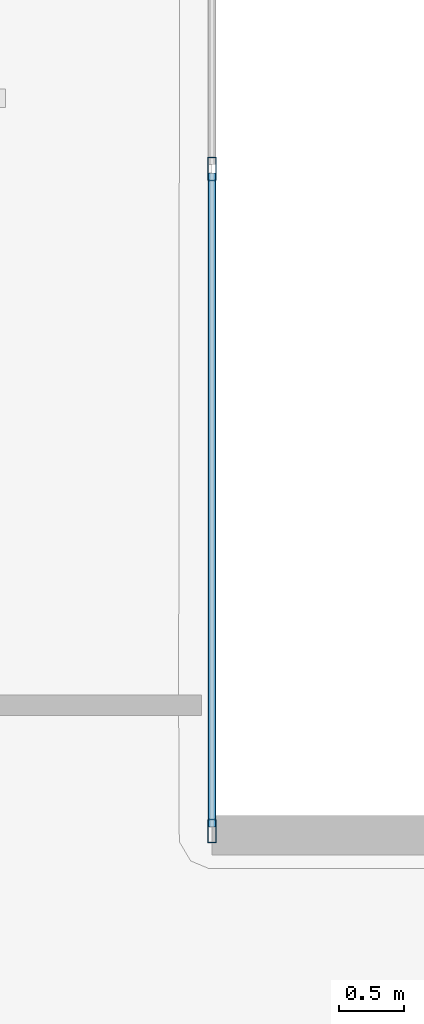
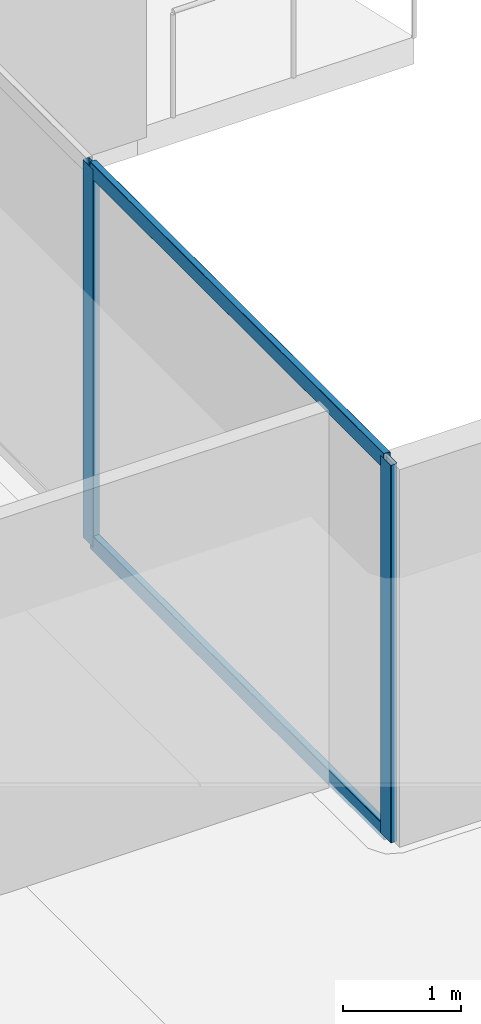
# One storey, part 13 of 45: 4 members, 1 element without a shape of its own.
"""IFC4 building model written with IfcOpenShell, lengths in metres."""

import ifcopenshell
import ifcopenshell.guid

model = None  # the IFC model being written
_history = None  # IfcOwnerHistory: only IFC2X3 demands one
_inside = {}  # id of a spatial element -> (the spatial element, [elements in it])
_under = {}  # id of a project, library or spatial element -> (it, [spatial elements below it])
_declared = {}  # id of a project -> (the project, [libraries it declares])
_typed = {}  # id of a type object -> (the type object, [elements of that type])
_made_of = {}  # id of a material, layer set ... -> (it, [elements and type objects made of it])


def new_model(schema):
    """Start an empty IFC model of exactly this schema.

    Asked for "IFC4X3", IfcOpenShell would pick the latest addendum, in which some entities
    have other attributes; the version numbers below select the first issue.
    IFC2X3 requires an IfcOwnerHistory on every rooted entity: one is made here for all.
    """
    global model, _history
    if schema == "IFC4X3":
        model = ifcopenshell.file(schema_version=(4, 3, 0, 0))
    else:
        model = ifcopenshell.file(schema=schema)
    _inside.clear()
    _under.clear()
    _declared.clear()
    _typed.clear()
    _made_of.clear()
    _history = None
    if model.schema == "IFC2X3":
        org = make("IfcOrganization", Name="unknown")
        user = make(
            "IfcPersonAndOrganization",
            ThePerson=make("IfcPerson", FamilyName="unknown"),
            TheOrganization=org,
        )
        app = make(
            "IfcApplication",
            ApplicationDeveloper=org,
            Version="unknown",
            ApplicationFullName="unknown",
            ApplicationIdentifier="unknown",
        )
        _history = make(
            "IfcOwnerHistory",
            OwningUser=user,
            OwningApplication=app,
            ChangeAction="ADDED",
            CreationDate=0,
        )
    return model


def make(cls, **values):
    """One entity of the class cls with the attributes given. An attribute that is None is left unset."""
    return model.create_entity(
        cls, **{name: value for name, value in values.items() if value is not None}
    )


def rooted(cls, **values):
    """An entity with a GlobalId (a new one), such as an element, a storey or a relation."""
    return make(cls, GlobalId=ifcopenshell.guid.new(), OwnerHistory=_history, **values)


def si_unit(unit_type, name, prefix=None):
    """IfcSIUnit, for example si_unit("LENGTHUNIT", "METRE", prefix="MILLI")."""
    return make("IfcSIUnit", UnitType=unit_type, Prefix=prefix, Name=name)


def assignment(units):
    """IfcUnitAssignment: the units of a project."""
    return None if units is None else make("IfcUnitAssignment", Units=units)


def point(xyz):
    """IfcCartesianPoint."""
    return None if xyz is None else make("IfcCartesianPoint", Coordinates=xyz)


def direction(xyz):
    """IfcDirection."""
    return None if xyz is None else make("IfcDirection", DirectionRatios=xyz)


def frame(location, z_axis=None, x_axis=None):
    """IfcAxis2Placement3D, a coordinate frame: its origin and axes. An axis left out is left unset."""
    return make(
        "IfcAxis2Placement3D",
        Location=point(location),
        Axis=direction(z_axis),
        RefDirection=direction(x_axis),
    )


def frame_2d(location, x_axis=None):
    """IfcAxis2Placement2D, a coordinate frame in the plane: its origin and x axis."""
    return make(
        "IfcAxis2Placement2D", Location=point(location), RefDirection=direction(x_axis)
    )


def origin():
    """The frame at (0, 0, 0) with its axes left unset."""
    return frame((0.0, 0.0, 0.0))


def origin_2d():
    """The frame at (0, 0) in the plane with its x axis left unset."""
    return frame_2d((0.0, 0.0))


def place(relative_to, where):
    """IfcLocalPlacement: puts the frame where relative to a parent placement (None: the world)."""
    return make(
        "IfcLocalPlacement", PlacementRelTo=relative_to, RelativePlacement=where
    )


def context(
    kind, dimensions, precision=None, world=None, true_north=None, identifier=None
):
    """IfcGeometricRepresentationContext, for example the 3D "Model" context."""
    return make(
        "IfcGeometricRepresentationContext",
        ContextIdentifier=identifier,
        ContextType=kind,
        CoordinateSpaceDimension=dimensions,
        Precision=precision,
        WorldCoordinateSystem=world,
        TrueNorth=true_north,
    )


def subcontext(parent, identifier, kind, view, scale=None):
    """IfcGeometricRepresentationSubContext, for example "Body" below "Model"."""
    return make(
        "IfcGeometricRepresentationSubContext",
        ContextIdentifier=identifier,
        ContextType=kind,
        ParentContext=parent,
        TargetScale=scale,
        TargetView=view,
    )


def project(units=None, contexts=None):
    """IfcProject with its units and contexts."""
    return rooted(
        "IfcProject",
        Name="project",
        RepresentationContexts=contexts,
        UnitsInContext=assignment(units),
    )


def spatial(cls, under=None, at=None, **own):
    """A site, building, storey or space (cls), placed at a placement, below another one or the project."""
    s = rooted(cls, ObjectPlacement=at, **own)
    if under is not None:
        _under.setdefault(under.id(), (under, []))[1].append(s)
    return s


def profile(cls, at=None, kind="AREA", **sizes):
    """A parametric profile (cls). Its sizes go by their IFC names, for example OverallWidth=200.0."""
    return make(cls, ProfileType=kind, Position=at, **sizes)


def hollow_rectangle(**sizes):
    """IfcRectangleHollowProfileDef."""
    return profile("IfcRectangleHollowProfileDef", **sizes)


def extrude(swept, where, along, depth):
    """IfcExtrudedAreaSolid: the profile swept, set in the frame where, extruded along a direction by depth."""
    return make(
        "IfcExtrudedAreaSolid",
        SweptArea=swept,
        Position=where,
        ExtrudedDirection=direction(along),
        Depth=depth,
    )


def shape(context_of_items, identifier, shape_type, items):
    """IfcShapeRepresentation: the items that make up one representation, for example the "Body"."""
    return make(
        "IfcShapeRepresentation",
        ContextOfItems=context_of_items,
        RepresentationIdentifier=identifier,
        RepresentationType=shape_type,
        Items=items,
    )


def material(Name=None, Category=None):
    """IfcMaterial."""
    return make("IfcMaterial", Name=Name, Category=Category)


def layer(
    of_material, thickness, ventilated=None, Name=None, Category=None, Priority=None
):
    """IfcMaterialLayer: one layer of a wall or slab, of a material (None: an air gap)."""
    return make(
        "IfcMaterialLayer",
        Material=of_material,
        LayerThickness=thickness,
        IsVentilated=ventilated,
        Name=Name,
        Category=Category,
        Priority=Priority,
    )


def layer_set(layers, Name=None):
    """IfcMaterialLayerSet."""
    return make("IfcMaterialLayerSet", MaterialLayers=layers, LayerSetName=Name)


def material_profile(
    of_material, cross_section, Name=None, Category=None, Priority=None
):
    """IfcMaterialProfile: a cross section and its material."""
    return make(
        "IfcMaterialProfile",
        Name=Name,
        Material=of_material,
        Profile=cross_section,
        Priority=Priority,
        Category=Category,
    )


def profile_set(profiles, Name=None, composite=None):
    """IfcMaterialProfileSet."""
    return make(
        "IfcMaterialProfileSet",
        Name=Name,
        MaterialProfiles=profiles,
        CompositeProfile=composite,
    )


def made_of(thing, what):
    """Note that an element or type object is made of a material, layer set ...; save() writes the relation."""
    if what is not None:
        _made_of.setdefault(what.id(), (what, []))[1].append(thing)
    return thing


def type_object(cls, material=None, **own):
    """A type object (cls), such as IfcWallType, which elements share."""
    return made_of(rooted(cls, **own), material)


def element(
    cls,
    number,
    at=None,
    inside=None,
    cuts=None,
    type_object=None,
    material=None,
    context=None,
    identifier="Body",
    shape_type=None,
    held_by="IfcProductDefinitionShape",
    body=None,
    shapes=None,
    **own,
):
    """One element of the class cls, such as IfcWall. Its Tag is "e" and its number.

    at: its placement. inside: the storey or other place that contains it. cuts: it is an
    opening in that element (IfcRelVoidsElement). A single representation is given by context,
    identifier, shape_type and body (its items); several are given by shapes. held_by: the class
    of the entity that holds the representations. save() writes the other relations.
    """
    e = rooted(cls, Tag="e%d" % number, ObjectPlacement=at, **own)
    if body is not None:
        shapes = [shape(context, identifier, shape_type, body)]
    if shapes is not None:
        e.Representation = make(held_by, Representations=shapes)
    if inside is not None:
        _inside.setdefault(inside.id(), (inside, []))[1].append(e)
    if cuts is not None:
        rooted(
            "IfcRelVoidsElement", RelatingBuildingElement=cuts, RelatedOpeningElement=e
        )
    if type_object is not None:
        _typed.setdefault(type_object.id(), (type_object, []))[1].append(e)
    return made_of(e, material)


def aggregate(whole, parts):
    """IfcRelAggregates: a whole, such as a stair, and the parts it consists of."""
    return rooted("IfcRelAggregates", RelatingObject=whole, RelatedObjects=parts)


def save(model, path):
    """Write the relations noted so far, then the file.

    IfcRelAggregates (storeys below a building ...), IfcRelContainedInSpatialStructure (elements
    in a storey), IfcRelDefinesByType, IfcRelAssociatesMaterial and IfcRelDeclares: one each for
    every whole, place, type object, material and project.
    """
    for whole, parts in _under.values():
        aggregate(whole, parts)
    for where, things in _inside.values():
        rooted(
            "IfcRelContainedInSpatialStructure",
            RelatedElements=things,
            RelatingStructure=where,
        )
    for kind, things in _typed.values():
        rooted("IfcRelDefinesByType", RelatedObjects=things, RelatingType=kind)
    for what, things in _made_of.values():
        rooted("IfcRelAssociatesMaterial", RelatedObjects=things, RelatingMaterial=what)
    for by, libraries in _declared.values():
        rooted("IfcRelDeclares", RelatingContext=by, RelatedDefinitions=libraries)
    model.write(path)


model = new_model("IFC4")

# Units and contexts
model_context = context("Model", 3, precision=1e-05, world=origin(), true_north=direction((0.0, 1.0)))
body_context = subcontext(model_context, "Body", "Model", "MODEL_VIEW")
ifc_project = project(units=[si_unit("LENGTHUNIT", "METRE"), si_unit("AREAUNIT", "SQUARE_METRE"), si_unit("VOLUMEUNIT", "CUBIC_METRE"), si_unit("PLANEANGLEUNIT", "RADIAN"), si_unit("MASSUNIT", "GRAM", prefix="KILO")], contexts=[model_context])

# Site, building, storey
site_placement = place(None, origin())
site = spatial("IfcSite", under=ifc_project, at=site_placement, CompositionType="ELEMENT")
building_placement = place(site_placement, origin())
building = spatial("IfcBuilding", under=site, at=building_placement, Name="Qorvath Tower", CompositionType="ELEMENT")
storey_placement = place(building_placement, frame((0.0, 0.0, 91.199951171875)))
storey = spatial("IfcBuildingStorey", under=building, at=storey_placement, Name="L20", CompositionType="ELEMENT", Elevation=91.199951171875)

# Curtain wall, members
ifc_material_1 = material(Name="Anodised aluminium and triple low-E glass", Category="aluminium")
ifc_layer = layer(ifc_material_1, 0.179931640625)
ifc_layer_set = layer_set([ifc_layer], Name="CW-SYS-2")
curtain_wall_type = type_object("IfcCurtainWallType", Name="CW-SYS-2", PredefinedType="NOTDEFINED", material=ifc_layer_set)
curtain_wall_placement = place(storey_placement, origin())
curtain_wall = element("IfcCurtainWall", 1, at=curtain_wall_placement, inside=storey, type_object=curtain_wall_type, Name="Curtain Wall CW-2 CW-T-L20-9.1", PredefinedType="NOTDEFINED")
ifc_material_2 = material(Name="Anodised aluminium 6063-T6", Category="aluminium")
ifc_material_profile_1 = material_profile(ifc_material_2, hollow_rectangle(XDim=0.06494140625, YDim=0.179931640625, WallThickness=0.00341796875, InnerFilletRadius=0.00341796875, OuterFilletRadius=0.007080078125, at=origin_2d()), Name="CWM 180x65")
ifc_profile_set_1 = profile_set([ifc_material_profile_1], Name="Anodised aluminium 6063-T6")
member_type_1 = type_object("IfcMemberType", Name="CWM-180", PredefinedType="MULLION", material=ifc_profile_set_1)
member_1_placement = place(storey_placement, frame((2.17236328125, -5.065185546875, 0.0), z_axis=(0.0, 0.0, 1.0), x_axis=(-1.0, 0.0, 0.0)))
member_1 = element("IfcMember", 2, at=member_1_placement, type_object=member_type_1, Name="CW-2 mullion 1", PredefinedType="MULLION", context=body_context, shape_type="SweptSolid", body=[
    extrude(hollow_rectangle(XDim=0.06494140625, YDim=0.179931640625, WallThickness=0.00341796875, InnerFilletRadius=0.00341796875, OuterFilletRadius=0.007080078125, at=origin_2d()), origin(), (0.0, 0.0, 1.0), 3.920166015625),
])
member_2_placement = place(storey_placement, frame((2.17236328125, 0.0, 0.0), z_axis=(0.0, 0.0, 1.0), x_axis=(-1.0, 0.0, 0.0)))
member_2 = element("IfcMember", 3, at=member_2_placement, type_object=member_type_1, Name="CW-2 mullion 2", PredefinedType="MULLION", context=body_context, shape_type="SweptSolid", body=[
    extrude(hollow_rectangle(XDim=0.06494140625, YDim=0.179931640625, WallThickness=0.00341796875, InnerFilletRadius=0.00341796875, OuterFilletRadius=0.007080078125, at=origin_2d()), origin(), (0.0, 0.0, 1.0), 3.920166015625),
])
ifc_material_3 = material(Name="Anodised aluminium 6063-T6", Category="aluminium")
ifc_material_profile_2 = material_profile(ifc_material_3, hollow_rectangle(XDim=0.06494140625, YDim=0.159912109375, WallThickness=0.00341796875, InnerFilletRadius=0.00341796875, OuterFilletRadius=0.007080078125, at=origin_2d()), Name="CWT 160x65")
ifc_profile_set_2 = profile_set([ifc_material_profile_2], Name="Anodised aluminium 6063-T6")
member_type_2 = type_object("IfcMemberType", Name="CWT-160", PredefinedType="USERDEFINED", material=ifc_profile_set_2)
member_3_placement = place(storey_placement, frame((2.17236328125, -5.03271484375, 0.032470703125), z_axis=(0.0, 1.0, 0.0), x_axis=(-1.0, 0.0, 0.0)))
member_3 = element("IfcMember", 4, at=member_3_placement, type_object=member_type_2, Name="CW-2 transom 1.1", ObjectType="TRANSOM", PredefinedType="USERDEFINED", context=body_context, shape_type="SweptSolid", body=[
    extrude(hollow_rectangle(XDim=0.06494140625, YDim=0.159912109375, WallThickness=0.00341796875, InnerFilletRadius=0.00341796875, OuterFilletRadius=0.007080078125, at=origin_2d()), origin(), (0.0, 0.0, 1.0), 5.000244140625),
])
member_4_placement = place(storey_placement, frame((2.17236328125, -5.03271484375, 3.8876953125), z_axis=(0.0, 1.0, 0.0), x_axis=(-1.0, 0.0, 0.0)))
member_4 = element("IfcMember", 5, at=member_4_placement, type_object=member_type_2, Name="CW-2 transom 1.2", ObjectType="TRANSOM", PredefinedType="USERDEFINED", context=body_context, shape_type="SweptSolid", body=[
    extrude(hollow_rectangle(XDim=0.06494140625, YDim=0.159912109375, WallThickness=0.00341796875, InnerFilletRadius=0.00341796875, OuterFilletRadius=0.007080078125, at=origin_2d()), origin(), (0.0, 0.0, 1.0), 5.000244140625),
])
aggregate(curtain_wall, [member_1, member_2, member_3, member_4])

save(model, "model.ifc")
